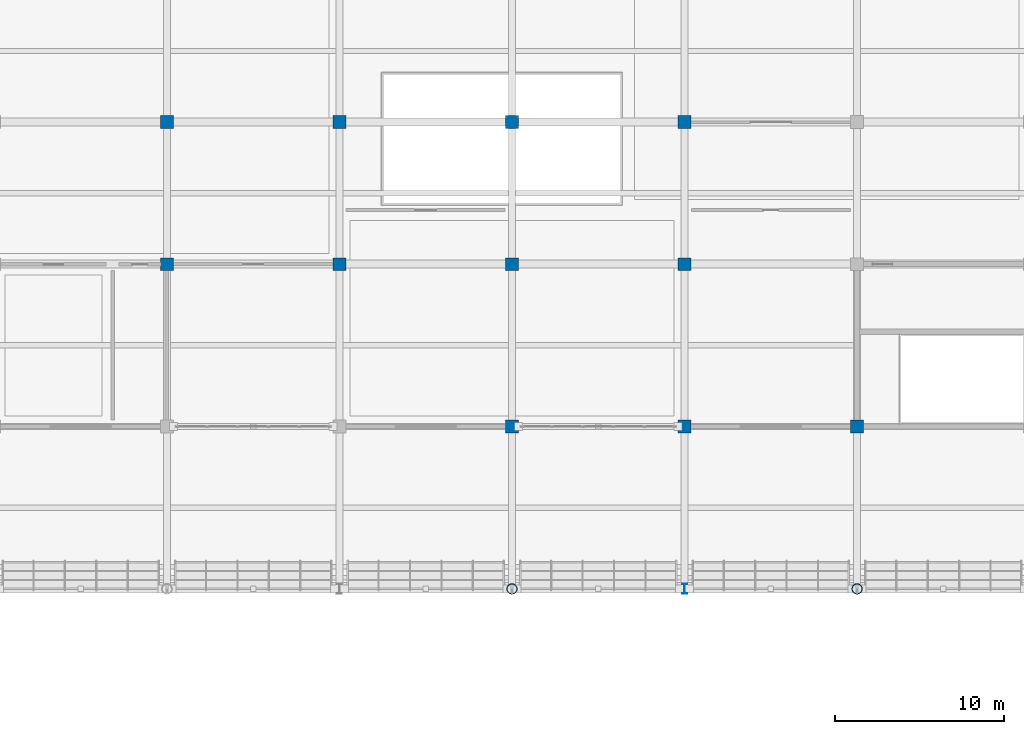
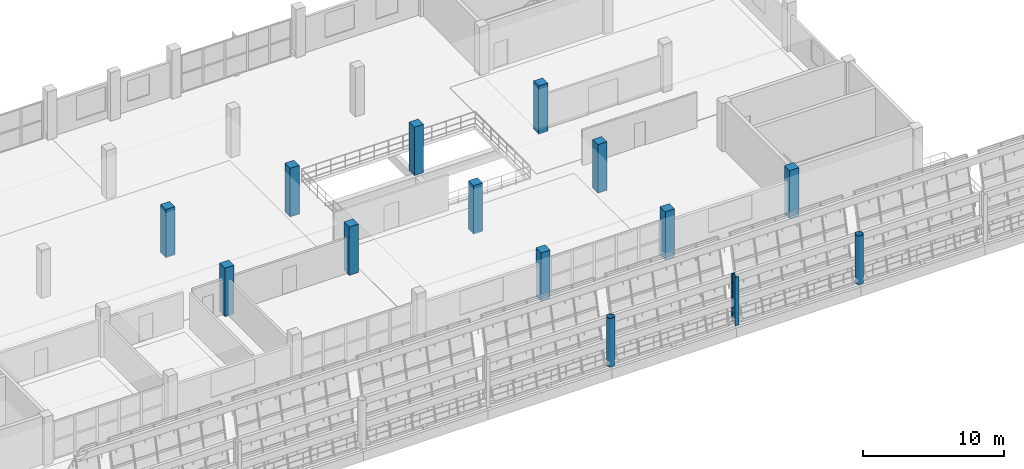
# One storey, part 7 of 157: 14 columns.
"""IFC4 building model written with IfcOpenShell, lengths in metres."""

from ifc_helpers import new_model, si_unit, direction, frame, origin, origin_2d, place, context, subcontext, project, spatial, rectangle, hollow_circle, i_section, extrude, material, material_profile, profile_set, type_object, element, save


model = new_model("IFC4")

# Units and contexts
model_context = context("Model", 3, precision=1e-05, world=origin(), true_north=direction((0.0, 1.0)))
body_context = subcontext(model_context, "Body", "Model", "MODEL_VIEW")
ifc_project = project(units=[si_unit("LENGTHUNIT", "METRE"), si_unit("AREAUNIT", "SQUARE_METRE"), si_unit("VOLUMEUNIT", "CUBIC_METRE"), si_unit("PLANEANGLEUNIT", "RADIAN"), si_unit("MASSUNIT", "GRAM", prefix="KILO")], contexts=[model_context])

# Site, building, storey
site_placement = place(None, origin())
site = spatial("IfcSite", under=ifc_project, at=site_placement, CompositionType="ELEMENT")
building_placement = place(site_placement, origin())
building = spatial("IfcBuilding", under=site, at=building_placement, Name="Brelvane Convention Centre", CompositionType="ELEMENT")
storey_placement = place(building_placement, frame((0.0, 0.0, 10.800048828125)))
storey = spatial("IfcBuildingStorey", under=building, at=storey_placement, Name="L02", CompositionType="ELEMENT", Elevation=10.800048828125)

# Columns
ifc_material_1 = material(Name="Concrete M50", Category="concrete")
ifc_material_profile_1 = material_profile(ifc_material_1, rectangle(XDim=0.75, YDim=0.75, at=origin_2d()), Name="RC 750x750")
ifc_profile_set_1 = profile_set([ifc_material_profile_1], Name="Concrete M50")
column_type_1 = type_object("IfcColumnType", Name="RC Column C-RC3 (RC 750x750)", PredefinedType="COLUMN", material=ifc_profile_set_1)
for number, where, z_axis, x_axis, name in (
    (1, (61.199951171875, 118.800048828125, 0.0), (0.0, 0.0, 1.0), (1.0, 0.0, 0.0), "Column 7-M (L02)"),
    (2, (61.199951171875, 127.199951171875, 0.0), (0.0, 0.0, 1.0), (1.0, 0.0, 0.0), "Column 7-N (L02)"),
    (3, (71.39990234375, 118.800048828125, 0.0), (0.0, 0.0, 1.0), (1.0, 0.0, 0.0), "Column 8-M (L02)"),
    (4, (71.39990234375, 127.199951171875, 0.0), (0.0, 0.0, 1.0), (1.0, 0.0, 0.0), "Column 8-N (L02)"),
    (5, (81.60009765625, 109.199951171875, 0.0), (0.0, 0.0, 1.0), (1.0, 0.0, 0.0), "Column 9-L (L02)"),
    (6, (81.60009765625, 118.800048828125, 0.0), (0.0, 0.0, 1.0), (1.0, 0.0, 0.0), "Column 9-M (L02)"),
    (7, (81.60009765625, 127.199951171875, 0.0), (0.0, 0.0, 1.0), (1.0, 0.0, 0.0), "Column 9-N (L02)"),
    (8, (91.800048828125, 109.199951171875, 0.0), (0.0, 0.0, 1.0), (1.0, 0.0, 0.0), "Column 10-L (L02)"),
    (9, (91.800048828125, 118.800048828125, 0.0), (0.0, 0.0, 1.0), (1.0, 0.0, 0.0), "Column 10-M (L02)"),
    (10, (91.800048828125, 127.199951171875, 0.0), (0.0, 0.0, 1.0), (1.0, 0.0, 0.0), "Column 10-N (L02)"),
    (11, (102.0, 109.199951171875, 0.0), (0.0, 0.0, 1.0), (1.0, 0.0, 0.0), "Column 11-L (L02)"),
):
    element("IfcColumn", number, at=place(storey_placement, frame(where, z_axis=z_axis, x_axis=x_axis)), inside=storey, type_object=column_type_1, Name=name, PredefinedType="COLUMN", context=body_context, shape_type="SweptSolid", body=[
        extrude(rectangle(XDim=0.75, YDim=0.75, at=origin_2d()), origin(), (0.0, 0.0, 1.0), 4.199951171875),
    ])
ifc_material_2 = material(Name="Steel E450 (450 MPa)", Category="steel")
ifc_material_profile_2 = material_profile(ifc_material_2, hollow_circle(Radius=0.304931640625, WallThickness=0.02490234375, at=origin_2d()), Name="CHS 610.0x25.0")
ifc_profile_set_2 = profile_set([ifc_material_profile_2], Name="Steel E450 (450 MPa)")
column_type_2 = type_object("IfcColumnType", Name="Steel Column C-ST1 (CHS 610.0x25.0)", PredefinedType="COLUMN", material=ifc_profile_set_2)
for number, where, z_axis, x_axis, name in (
    (12, (81.60009765625, 99.60009765625, 0.0), (0.0, 0.0, 1.0), (1.0, 0.0, 0.0), "Column 9-K (L02)"),
    (13, (102.0, 99.60009765625, 0.0), (0.0, 0.0, 1.0), (1.0, 0.0, 0.0), "Column 11-K (L02)"),
):
    element("IfcColumn", number, at=place(storey_placement, frame(where, z_axis=z_axis, x_axis=x_axis)), inside=storey, type_object=column_type_2, Name=name, PredefinedType="COLUMN", context=body_context, shape_type="SweptSolid", body=[
        extrude(hollow_circle(Radius=0.304931640625, WallThickness=0.02490234375, at=origin_2d()), origin(), (0.0, 0.0, 1.0), 4.199951171875),
    ])
ifc_material_3 = material(Name="Steel E450 (450 MPa)", Category="steel")
ifc_material_profile_3 = material_profile(ifc_material_3, i_section(OverallWidth=0.300048828125, OverallDepth=0.60009765625, WebThickness=0.015380859375, FlangeThickness=0.030029296875, FilletRadius=0.027099609375, at=origin_2d()), Name="WPB 600x300")
ifc_profile_set_3 = profile_set([ifc_material_profile_3], Name="Steel E450 (450 MPa)")
column_type_3 = type_object("IfcColumnType", Name="Steel Column C-ST5 (WPB 600x300)", PredefinedType="COLUMN", material=ifc_profile_set_3)
column_placement = place(storey_placement, frame((91.800048828125, 99.60009765625, 0.0), z_axis=(0.0, 0.0, 1.0), x_axis=(1.0, 0.0, 0.0)))
element("IfcColumn", 14, at=column_placement, inside=storey, type_object=column_type_3, Name="Column 10-K (L02)", PredefinedType="COLUMN", context=body_context, shape_type="SweptSolid", body=[
    extrude(i_section(OverallWidth=0.300048828125, OverallDepth=0.60009765625, WebThickness=0.015380859375, FlangeThickness=0.030029296875, FilletRadius=0.027099609375, at=origin_2d()), origin(), (0.0, 0.0, 1.0), 4.199951171875),
])

save(model, "model.ifc")
